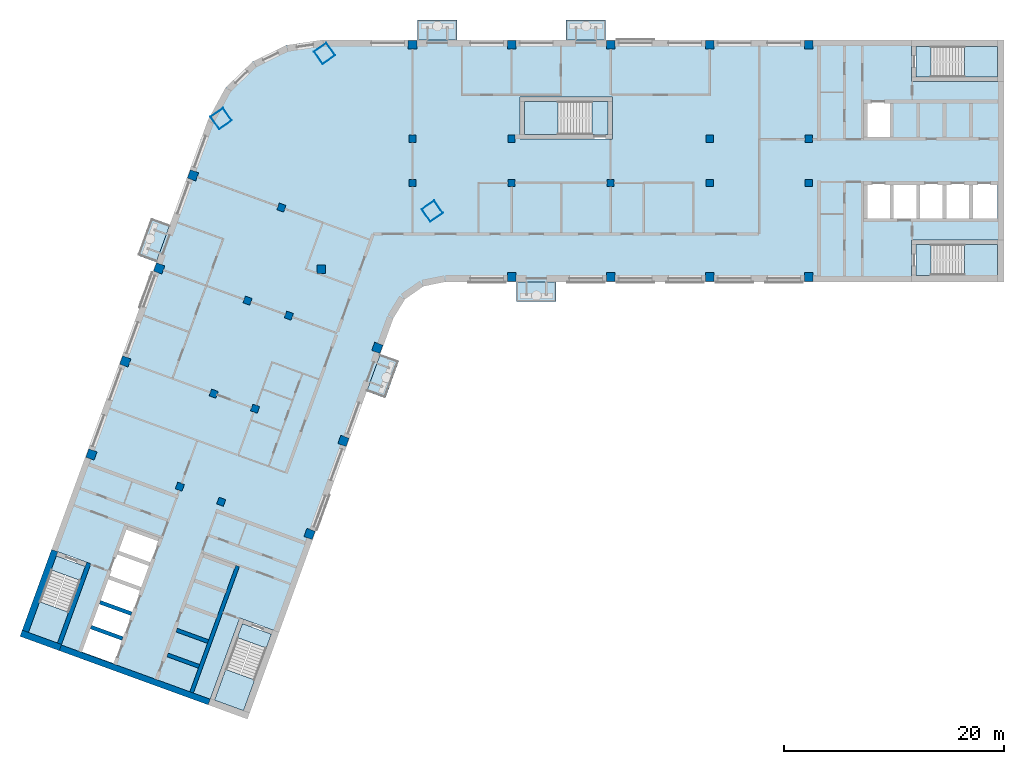
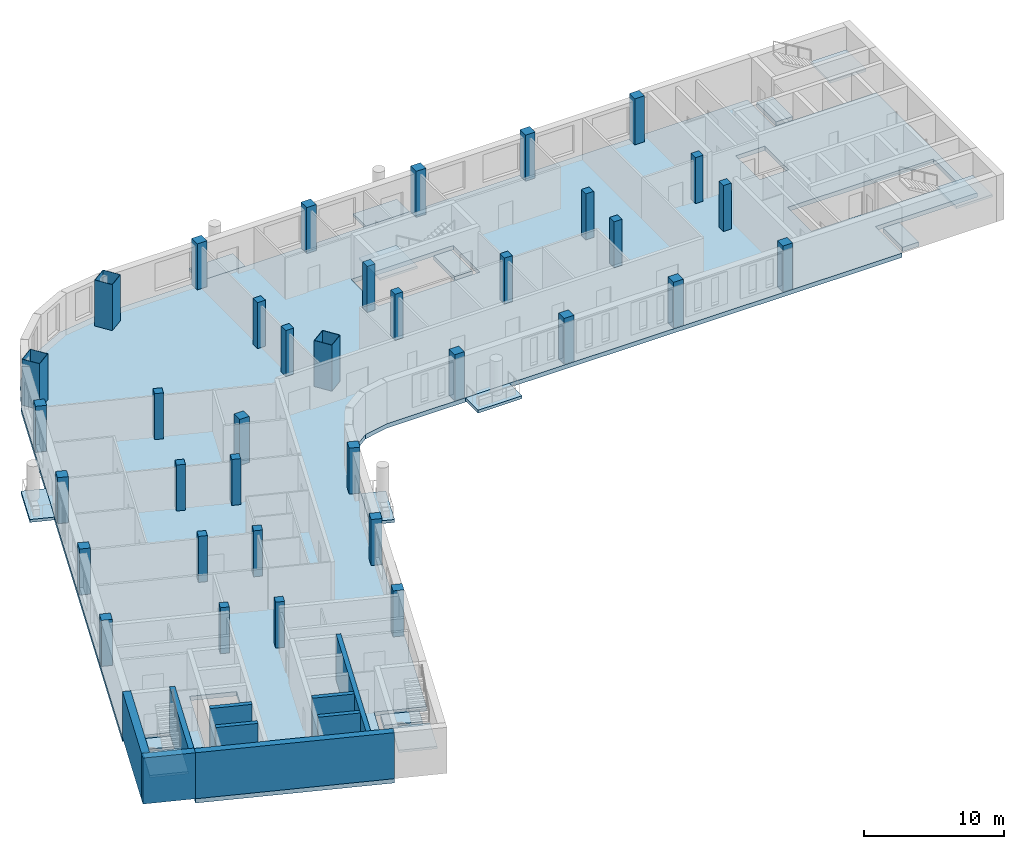
# One storey, part 1 of 10: 36 columns, 16 slabs, 9 walls, 5 elements without a shape of their own.
"""IFC4 building model written with IfcOpenShell, lengths in metres."""

from ifc_helpers import new_model, si_unit, direction, frame, frame_2d, origin, origin_2d, place, context, subcontext, project, spatial, polyline, rectangle, hollow_rectangle, outline, extrude, material, layer, layer_set, material_profile, profile_set, type_object, element, aggregate, save


model = new_model("IFC4")

# Units and contexts
model_context = context("Model", 3, precision=1e-05, world=origin(), true_north=direction((0.0, 1.0)))
body_context = subcontext(model_context, "Body", "Model", "MODEL_VIEW")
ifc_project = project(units=[si_unit("LENGTHUNIT", "METRE"), si_unit("AREAUNIT", "SQUARE_METRE"), si_unit("VOLUMEUNIT", "CUBIC_METRE"), si_unit("PLANEANGLEUNIT", "RADIAN"), si_unit("MASSUNIT", "GRAM", prefix="KILO")], contexts=[model_context])

# Site, building, storey
site_placement = place(None, origin())
site = spatial("IfcSite", under=ifc_project, at=site_placement, CompositionType="ELEMENT")
building_placement = place(site_placement, origin())
building = spatial("IfcBuilding", under=site, at=building_placement, Name="Skarvind Civic Tower", CompositionType="ELEMENT")
storey_placement = place(building_placement, frame((0.0, 0.0, 154.5)))
storey = spatial("IfcBuildingStorey", under=building, at=storey_placement, Name="L36", CompositionType="ELEMENT", Elevation=154.5)

# Columns
ifc_material_1 = material(Name="Concrete C60", Category="concrete")
ifc_material_profile_1 = material_profile(ifc_material_1, rectangle(XDim=0.64990234375, YDim=0.64990234375, at=origin_2d()), Name="RC-650x650")
ifc_profile_set_1 = profile_set([ifc_material_profile_1], Name="Concrete C60")
column_type_1 = type_object("IfcColumnType", Name="Column RC-650x650 C60", PredefinedType="COLUMN", material=ifc_profile_set_1)
for number, where, z_axis, x_axis, name in (
    (1, (54.25, 130.0, 0.0), (0.0, 0.0, 1.0), (1.0, 0.0, 0.0), "Column wing 1 north inner 02 L36"),
    (2, (63.25, 130.0, 0.0), (0.0, 0.0, 1.0), (1.0, 0.0, 0.0), "Column wing 1 north inner 03 L36"),
    (3, (81.25, 130.0, 0.0), (0.0, 0.0, 1.0), (1.0, 0.0, 0.0), "Column wing 1 north inner 05 L36"),
    (4, (90.25, 130.0, 0.0), (0.0, 0.0, 1.0), (1.0, 0.0, 0.0), "Column wing 1 north inner 06 L36"),
    (5, (54.25, 126.0, 0.0), (0.0, 0.0, 1.0), (1.0, 0.0, 0.0), "Column wing 1 south inner 02 L36"),
    (6, (63.25, 126.0, 0.0), (0.0, 0.0, 1.0), (1.0, 0.0, 0.0), "Column wing 1 south inner 03 L36"),
    (7, (72.25, 126.0, 0.0), (0.0, 0.0, 1.0), (1.0, 0.0, 0.0), "Column wing 1 south inner 04 L36"),
    (8, (81.25, 126.0, 0.0), (0.0, 0.0, 1.0), (1.0, 0.0, 0.0), "Column wing 1 south inner 05 L36"),
    (9, (90.25, 126.0, 0.0), (0.0, 0.0, 1.0), (1.0, 0.0, 0.0), "Column wing 1 south inner 06 L36"),
    (10, (43.005615234375, 113.92529296875, 0.0), (0.0, 0.0, 1.0), (-0.342020143326, -0.939692620786, 0.0), "Column wing 2 left inner 02 L36"),
    (11, (39.927490234375, 105.468017578125, 0.0), (0.0, 0.0, 1.0), (-0.342020143326, -0.939692620786, 0.0), "Column wing 2 left inner 03 L36"),
    (12, (36.84912109375, 97.010986328125, 0.0), (0.0, 0.0, 1.0), (-0.342020143326, -0.939692620786, 0.0), "Column wing 2 left inner 04 L36"),
    (13, (42.324951171875, 123.750732421875, 0.0), (0.0, 0.0, 1.0), (-0.342020143326, -0.939692620786, 0.0), "Column wing 2 right inner 01 L36"),
    (14, (39.246826171875, 115.29345703125, 0.0), (0.0, 0.0, 1.0), (-0.342020143326, -0.939692620786, 0.0), "Column wing 2 right inner 02 L36"),
    (15, (36.168701171875, 106.836181640625, 0.0), (0.0, 0.0, 1.0), (-0.342020143326, -0.939692620786, 0.0), "Column wing 2 right inner 03 L36"),
    (16, (33.090576171875, 98.37890625, 0.0), (0.0, 0.0, 1.0), (-0.342020143326, -0.939692620786, 0.0), "Column wing 2 right inner 04 L36"),
):
    element("IfcColumn", number, at=place(storey_placement, frame(where, z_axis=z_axis, x_axis=x_axis)), inside=storey, type_object=column_type_1, Name=name, PredefinedType="COLUMN", context=body_context, shape_type="SweptSolid", body=[
        extrude(rectangle(XDim=0.64990234375, YDim=0.64990234375, at=origin_2d()), origin(), (0.0, 0.0, 1.0), 4.0),
    ])
ifc_material_profile_2 = material_profile(ifc_material_1, rectangle(XDim=0.800048828125, YDim=0.800048828125, at=origin_2d()), Name="RC-800x800")
ifc_profile_set_2 = profile_set([ifc_material_profile_2], Name="Concrete C60")
column_type_2 = type_object("IfcColumnType", Name="Column RC-800x800 C60", PredefinedType="COLUMN", material=ifc_profile_set_2)
for number, where, z_axis, x_axis, name in (
    (17, (54.25, 138.550048828125, 0.0), (0.0, 0.0, 1.0), (1.0, 0.0, 0.0), "Column wing 1 north perimeter 02 L36"),
    (18, (63.25, 138.550048828125, 0.0), (0.0, 0.0, 1.0), (1.0, 0.0, 0.0), "Column wing 1 north perimeter 03 L36"),
    (19, (72.25, 138.550048828125, 0.0), (0.0, 0.0, 1.0), (1.0, 0.0, 0.0), "Column wing 1 north perimeter 04 L36"),
    (20, (81.25, 138.550048828125, 0.0), (0.0, 0.0, 1.0), (1.0, 0.0, 0.0), "Column wing 1 north perimeter 05 L36"),
    (21, (90.25, 138.550048828125, 0.0), (0.0, 0.0, 1.0), (1.0, 0.0, 0.0), "Column wing 1 north perimeter 06 L36"),
    (22, (45.95166015625, 118.151611328125, 0.0), (0.0, 0.0, 1.0), (1.0, 0.0, 0.0), "Column wing 1 south perimeter 01 L36"),
    (23, (63.25, 117.449951171875, 0.0), (0.0, 0.0, 1.0), (1.0, 0.0, 0.0), "Column wing 1 south perimeter 03 L36"),
    (24, (72.25, 117.449951171875, 0.0), (0.0, 0.0, 1.0), (1.0, 0.0, 0.0), "Column wing 1 south perimeter 04 L36"),
    (25, (81.25, 117.449951171875, 0.0), (0.0, 0.0, 1.0), (1.0, 0.0, 0.0), "Column wing 1 south perimeter 05 L36"),
    (26, (90.25, 117.449951171875, 0.0), (0.0, 0.0, 1.0), (1.0, 0.0, 0.0), "Column wing 1 south perimeter 06 L36"),
    (27, (51.0400390625, 111.0009765625, 0.0), (0.0, 0.0, 1.0), (-0.342020143326, -0.939692620786, 0.0), "Column wing 2 left perimeter 02 L36"),
    (28, (47.961669921875, 102.5439453125, 0.0), (0.0, 0.0, 1.0), (-0.342020143326, -0.939692620786, 0.0), "Column wing 2 left perimeter 03 L36"),
    (29, (44.883544921875, 94.086669921875, 0.0), (0.0, 0.0, 1.0), (-0.342020143326, -0.939692620786, 0.0), "Column wing 2 left perimeter 04 L36"),
    (30, (34.29052734375, 126.6748046875, 0.0), (0.0, 0.0, 1.0), (-0.342020143326, -0.939692620786, 0.0), "Column wing 2 right perimeter 01 L36"),
    (31, (31.21240234375, 118.2177734375, 0.0), (0.0, 0.0, 1.0), (-0.342020143326, -0.939692620786, 0.0), "Column wing 2 right perimeter 02 L36"),
    (32, (28.13427734375, 109.760498046875, 0.0), (0.0, 0.0, 1.0), (-0.342020143326, -0.939692620786, 0.0), "Column wing 2 right perimeter 03 L36"),
    (33, (25.05615234375, 101.30322265625, 0.0), (0.0, 0.0, 1.0), (-0.342020143326, -0.939692620786, 0.0), "Column wing 2 right perimeter 04 L36"),
):
    element("IfcColumn", number, at=place(storey_placement, frame(where, z_axis=z_axis, x_axis=x_axis)), inside=storey, type_object=column_type_2, Name=name, PredefinedType="COLUMN", context=body_context, shape_type="SweptSolid", body=[
        extrude(rectangle(XDim=0.800048828125, YDim=0.800048828125, at=origin_2d()), origin(), (0.0, 0.0, 1.0), 4.0),
    ])
ifc_material_2 = material(Name="Composite concrete-filled steel tube, Steel SM355 with Concrete C80", Category="concrete")
ifc_material_profile_3 = material_profile(ifc_material_2, hollow_rectangle(XDim=1.39990234375, YDim=1.39990234375, WallThickness=0.031982421875, at=origin_2d()), Name="BOX-1400x1400x32")
ifc_profile_set_3 = profile_set([ifc_material_profile_3], Name="Composite concrete-filled steel tube, Steel SM355 with Concrete C80")
column_type_3 = type_object("IfcColumnType", Name="Mega column BOX-1400x1400x32 filled C80", PredefinedType="COLUMN", material=ifc_profile_set_3)
for number, where, z_axis, x_axis, name in (
    (34, (36.845947265625, 131.837646484375, 0.0), (0.0, 0.0, 1.0), (0.573576436351, -0.819152044289, 0.0), "Mega column 1 L36"),
    (35, (46.2470703125, 137.762451171875, 0.0), (0.0, 0.0, 1.0), (0.573576436351, -0.819152044289, 0.0), "Mega column 2 L36"),
    (36, (56.0361328125, 123.43017578125, 0.0), (0.0, 0.0, 1.0), (0.573576436351, -0.819152044289, 0.0), "Mega column 4 L36"),
):
    element("IfcColumn", number, at=place(storey_placement, frame(where, z_axis=z_axis, x_axis=x_axis)), inside=storey, type_object=column_type_3, Name=name, PredefinedType="COLUMN", context=body_context, shape_type="SweptSolid", body=[
        extrude(hollow_rectangle(XDim=1.39990234375, YDim=1.39990234375, WallThickness=0.031982421875, at=origin_2d()), origin(), (0.0, 0.0, 1.0), 4.0),
    ])

# Slabs
ifc_material_3 = material(Name="Concrete C50", Category="concrete")
ifc_layer_1 = layer(ifc_material_3, 0.375)
ifc_layer_set_1 = layer_set([ifc_layer_1], Name="Floor slab 375 C50")
slab_type_1 = type_object("IfcSlabType", Name="Floor slab 375 C50", PredefinedType="FLOOR", material=ifc_layer_set_1)
slab_1_placement = place(storey_placement, frame((0.0, 0.0, -0.375)))
element("IfcSlab", 37, at=slab_1_placement, inside=storey, type_object=slab_type_1, Name="Floor slab L36 1", PredefinedType="FLOOR", context=body_context, shape_type="SweptSolid", body=[
    extrude(outline(polyline([(99.60009765625, 117.0), (99.60009765625, 120.800048828125), (108.0, 120.800048828125), (108.0, 135.199951171875), (99.60009765625, 135.199951171875), (99.60009765625, 139.0), (46.095458984375, 139.0), (42.739501953125, 138.5009765625), (39.6943359375, 137.005615234375), (37.24755859375, 134.6552734375), (35.630615234375, 131.672607421875), (19.41748046875, 87.126708984375), (21.435302734375, 92.6708984375), (25.006103515625, 91.371337890625), (22.13330078125, 83.477783203125), (36.886474609375, 78.108154296875), (35.664794921875, 78.552734375), (38.53759765625, 86.4462890625), (42.108642578125, 85.146484375), (40.0908203125, 79.602294921875), (40.0908203125, 79.602294921875), (52.493896484375, 113.68017578125), (53.560791015625, 115.421630859375), (55.23388671875, 116.593017578125), (57.235107421875, 117.0), (99.60009765625, 117.0)]), holes=[polyline([(25.671630859375, 87.9365234375), (26.492431640625, 90.19189453125), (27.313232421875, 92.447021484375), (28.134033203125, 94.702392578125), (31.3291015625, 93.53955078125), (30.50830078125, 91.2841796875), (29.6875, 89.029052734375), (28.866455078125, 86.773681640625), (28.866455078125, 86.773681640625), (28.045654296875, 84.5185546875), (27.224853515625, 82.26318359375), (24.02978515625, 83.426025390625), (24.8505859375, 85.681396484375), (25.671630859375, 87.9365234375), (25.671630859375, 87.9365234375)]), polyline([(64.0, 130.0), (64.0, 133.800048828125), (72.39990234375, 133.800048828125), (72.39990234375, 130.0), (64.0, 130.0)]), polyline([(97.800048828125, 126.0), (100.199951171875, 126.0), (102.60009765625, 126.0), (105.0, 126.0), (107.39990234375, 126.0), (107.39990234375, 122.60009765625), (105.0, 122.60009765625), (102.60009765625, 122.60009765625), (100.199951171875, 122.60009765625), (97.800048828125, 122.60009765625), (95.39990234375, 122.60009765625), (95.39990234375, 126.0), (97.800048828125, 126.0)]), polyline([(97.800048828125, 133.39990234375), (97.800048828125, 130.0), (95.39990234375, 130.0), (95.39990234375, 133.39990234375), (97.800048828125, 133.39990234375)])]), origin(), (0.0, 0.0, 1.0), 0.375),
])
ifc_material_4 = material(Name="Precast concrete C40/50", Category="concrete")
ifc_layer_2 = layer(ifc_material_4, 0.25)
ifc_layer_set_2 = layer_set([ifc_layer_2], Name="SX3 BALCONY SLAB 250")
slab_type_2 = type_object("IfcSlabType", Name="SX3 BALCONY SLAB 250", PredefinedType="FLOOR", material=ifc_layer_set_2)
slab_2_placement = place(storey_placement, frame((0.0, 0.0, -0.25)))
element("IfcSlab", 38, at=slab_2_placement, inside=storey, type_object=slab_type_2, Name="TREE BALCONY SLAB", PredefinedType="FLOOR", context=body_context, shape_type="SweptSolid", body=[
    extrude(outline(polyline([(51.308837890625, 110.42431640625), (50.07763671875, 107.04150390625), (51.76904296875, 106.42578125), (53.00048828125, 109.80859375), (51.308837890625, 110.42431640625)])), origin(), (0.0, 0.0, 1.0), 0.25),
])
slab_3_placement = place(storey_placement, frame((0.0, 0.0, -0.25)))
element("IfcSlab", 39, at=slab_3_placement, inside=storey, type_object=slab_type_2, Name="TREE BALCONY SLAB", PredefinedType="FLOOR", context=body_context, shape_type="SweptSolid", body=[
    extrude(outline(polyline([(67.300048828125, 117.0), (63.699951171875, 117.0), (63.699951171875, 115.199951171875), (67.300048828125, 115.199951171875), (67.300048828125, 117.0)])), origin(), (0.0, 0.0, 1.0), 0.25),
])
slab_4_placement = place(storey_placement, frame((0.0, 0.0, -0.25)))
element("IfcSlab", 40, at=slab_4_placement, inside=storey, type_object=slab_type_2, Name="TREE BALCONY SLAB", PredefinedType="FLOOR", context=body_context, shape_type="SweptSolid", body=[
    extrude(outline(polyline([(54.699951171875, 139.0), (58.300048828125, 139.0), (58.300048828125, 140.800048828125), (54.699951171875, 140.800048828125), (54.699951171875, 139.0)])), origin(), (0.0, 0.0, 1.0), 0.25),
])
slab_5_placement = place(storey_placement, frame((0.0, 0.0, -0.25)))
element("IfcSlab", 41, at=slab_5_placement, inside=storey, type_object=slab_type_2, Name="TREE BALCONY SLAB", PredefinedType="FLOOR", context=body_context, shape_type="SweptSolid", body=[
    extrude(outline(polyline([(68.199951171875, 139.0), (71.800048828125, 139.0), (71.800048828125, 140.800048828125), (68.199951171875, 140.800048828125), (68.199951171875, 139.0)])), origin(), (0.0, 0.0, 1.0), 0.25),
])
slab_6_placement = place(storey_placement, frame((0.0, 0.0, -0.25)))
element("IfcSlab", 42, at=slab_6_placement, inside=storey, type_object=slab_type_2, Name="TREE BALCONY SLAB", PredefinedType="FLOOR", context=body_context, shape_type="SweptSolid", body=[
    extrude(outline(polyline([(30.943603515625, 118.79443359375), (32.1748046875, 122.177490234375), (30.4833984375, 122.79296875), (29.252197265625, 119.41015625), (30.943603515625, 118.79443359375)])), origin(), (0.0, 0.0, 1.0), 0.25),
])
ifc_material_5 = material(Name="Concrete C40/50", Category="concrete")
ifc_layer_3 = layer(ifc_material_5, 0.375)
ifc_layer_set_3 = layer_set([ifc_layer_3], Name="Stair floor landing slab 375")
slab_type_3 = type_object("IfcSlabType", Name="Stair floor landing slab 375", PredefinedType="LANDING", material=ifc_layer_set_3)
slab_7_placement = place(storey_placement, frame((0.0, 0.0, -0.375)))
element("IfcSlab", 43, at=slab_7_placement, inside=storey, type_object=slab_type_3, Name="Stair floor landing", PredefinedType="LANDING", context=body_context, shape_type="SweptSolid", body=[
    extrude(outline(polyline([(101.3505859375, 138.400634765625), (101.3505859375, 135.599365234375), (99.99951171875, 135.599365234375), (99.99951171875, 138.400634765625), (101.3505859375, 138.400634765625)])), origin(), (0.0, 0.0, 1.0), 0.375),
])
slab_8_placement = place(storey_placement, frame((0.0, 0.0, -0.375)))
element("IfcSlab", 44, at=slab_8_placement, inside=storey, type_object=slab_type_3, Name="Stair floor landing", PredefinedType="LANDING", context=body_context, shape_type="SweptSolid", body=[
    extrude(outline(polyline([(101.3505859375, 120.400634765625), (101.3505859375, 117.599365234375), (99.99951171875, 117.599365234375), (99.99951171875, 120.400634765625), (101.3505859375, 120.400634765625)])), origin(), (0.0, 0.0, 1.0), 0.375),
])
slab_9_placement = place(storey_placement, frame((0.0, 0.0, -0.375)))
element("IfcSlab", 45, at=slab_9_placement, inside=storey, type_object=slab_type_3, Name="Stair floor landing", PredefinedType="LANDING", context=body_context, shape_type="SweptSolid", body=[
    extrude(outline(polyline([(40.946533203125, 83.70654296875), (38.314208984375, 84.66455078125), (38.7763671875, 85.934326171875), (41.40869140625, 84.976318359375), (40.946533203125, 83.70654296875)])), origin(), (0.0, 0.0, 1.0), 0.375),
])
slab_10_placement = place(storey_placement, frame((0.0, 0.0, -0.375)))
element("IfcSlab", 46, at=slab_10_placement, inside=storey, type_object=slab_type_3, Name="Stair floor landing", PredefinedType="LANDING", context=body_context, shape_type="SweptSolid", body=[
    extrude(outline(polyline([(24.0322265625, 89.863037109375), (21.39990234375, 90.821044921875), (21.862060546875, 92.090576171875), (24.494384765625, 91.132568359375), (24.0322265625, 89.863037109375)])), origin(), (0.0, 0.0, 1.0), 0.375),
])
slab_11_placement = place(storey_placement, frame((0.0, 0.0, -0.375)))
element("IfcSlab", 47, at=slab_11_placement, inside=storey, type_object=slab_type_3, Name="Stair floor landing", PredefinedType="LANDING", context=body_context, shape_type="SweptSolid", body=[
    extrude(outline(polyline([(70.54931640625, 130.3994140625), (70.54931640625, 133.400634765625), (72.00048828125, 133.400634765625), (72.00048828125, 130.3994140625), (70.54931640625, 130.3994140625)])), origin(), (0.0, 0.0, 1.0), 0.375),
])

# Stair, slab
stair_type_1 = type_object("IfcStairType", Name="Exit stair, half-turn, concrete", PredefinedType="HALF_TURN_STAIR", material=ifc_material_5)
stair_1_placement = place(storey_placement, origin())
stair_1 = element("IfcStair", 48, at=stair_1_placement, inside=storey, type_object=stair_type_1, Name="Exit stair C1S", PredefinedType="HALF_TURN_STAIR")
ifc_layer_4 = layer(ifc_material_5, 0.199951171875)
ifc_layer_set_4 = layer_set([ifc_layer_4], Name="Stair half landing slab")
slab_type_4 = type_object("IfcSlabType", Name="Stair half landing slab", PredefinedType="LANDING", material=ifc_layer_set_4)
slab_12_placement = place(storey_placement, frame((0.0, 0.0, 1.800048828125)))
slab_12 = element("IfcSlab", 49, at=slab_12_placement, type_object=slab_type_4, Name="ST-C1S landing 1", PredefinedType="LANDING", context=body_context, shape_type="SweptSolid", body=[
    extrude(outline(polyline([(104.429443359375, 135.599365234375), (104.429443359375, 138.400634765625), (107.400634765625, 138.400634765625), (107.400634765625, 135.599365234375), (104.429443359375, 135.599365234375)])), origin(), (0.0, 0.0, 1.0), 0.199951171875),
])
aggregate(stair_1, [slab_12])

stair_2_placement = place(storey_placement, origin())
stair_2 = element("IfcStair", 50, at=stair_2_placement, inside=storey, type_object=stair_type_1, Name="Exit stair C1N", PredefinedType="HALF_TURN_STAIR")
slab_13_placement = place(storey_placement, frame((0.0, 0.0, 1.800048828125)))
slab_13 = element("IfcSlab", 51, at=slab_13_placement, type_object=slab_type_4, Name="ST-C1N landing 1", PredefinedType="LANDING", context=body_context, shape_type="SweptSolid", body=[
    extrude(outline(polyline([(104.429443359375, 117.599365234375), (104.429443359375, 120.400634765625), (107.400634765625, 120.400634765625), (107.400634765625, 117.599365234375), (104.429443359375, 117.599365234375)])), origin(), (0.0, 0.0, 1.0), 0.199951171875),
])
aggregate(stair_2, [slab_13])

stair_3_placement = place(storey_placement, origin())
stair_3 = element("IfcStair", 52, at=stair_3_placement, inside=storey, type_object=stair_type_1, Name="Exit stair C2S", PredefinedType="HALF_TURN_STAIR")
slab_14_placement = place(storey_placement, frame((0.0, 0.0, 1.800048828125)))
slab_14 = element("IfcSlab", 53, at=slab_14_placement, type_object=slab_type_4, Name="ST-C2S landing 1", PredefinedType="LANDING", context=body_context, shape_type="SweptSolid", body=[
    extrude(outline(polyline([(37.26123046875, 81.771484375), (39.8935546875, 80.8134765625), (38.87744140625, 78.021484375), (36.2451171875, 78.9794921875), (37.26123046875, 81.771484375)])), origin(), (0.0, 0.0, 1.0), 0.199951171875),
])
aggregate(stair_3, [slab_14])

stair_4_placement = place(storey_placement, origin())
stair_4 = element("IfcStair", 54, at=stair_4_placement, inside=storey, type_object=stair_type_1, Name="Exit stair C2N", PredefinedType="HALF_TURN_STAIR")
slab_15_placement = place(storey_placement, frame((0.0, 0.0, 1.800048828125)))
slab_15 = element("IfcSlab", 55, at=slab_15_placement, type_object=slab_type_4, Name="ST-C2N landing 1", PredefinedType="LANDING", context=body_context, shape_type="SweptSolid", body=[
    extrude(outline(polyline([(20.346923828125, 87.927734375), (22.97900390625, 86.9697265625), (21.962890625, 84.177734375), (19.33056640625, 85.1357421875), (20.346923828125, 87.927734375)])), origin(), (0.0, 0.0, 1.0), 0.199951171875),
])
aggregate(stair_4, [slab_15])

stair_type_2 = type_object("IfcStairType", Name="Exit stair 1450, half-turn, concrete", PredefinedType="HALF_TURN_STAIR", material=ifc_material_5)
stair_5_placement = place(storey_placement, origin())
stair_5 = element("IfcStair", 56, at=stair_5_placement, inside=storey, type_object=stair_type_2, Name="Exit stair CM", PredefinedType="HALF_TURN_STAIR")
slab_16_placement = place(storey_placement, frame((0.0, 0.0, 1.800048828125)))
slab_16 = element("IfcSlab", 57, at=slab_16_placement, type_object=slab_type_4, Name="ST-CM landing 1", PredefinedType="LANDING", context=body_context, shape_type="SweptSolid", body=[
    extrude(outline(polyline([(67.470703125, 133.400634765625), (67.470703125, 130.3994140625), (64.3994140625, 130.3994140625), (64.3994140625, 133.400634765625), (67.470703125, 133.400634765625)])), origin(), (0.0, 0.0, 1.0), 0.199951171875),
])
aggregate(stair_5, [slab_16])

# Walls
ifc_layer_5 = layer(ifc_material_1, 0.35009765625)
ifc_layer_set_5 = layer_set([ifc_layer_5], Name="Core wall 350 C60")
wall_type_1 = type_object("IfcWallType", Name="Core wall 350 C60", PredefinedType="SHEAR", material=ifc_layer_set_5)
wall_1_placement = place(storey_placement, frame((34.161376953125, 79.685302734375, 0.0), z_axis=(0.0, 0.0, 1.0), x_axis=(0.34201563943, 0.939694260058, 0.0)))
element("IfcWall", 58, at=wall_1_placement, inside=storey, type_object=wall_type_1, Name="Core wall C2 south lift row back L36", PredefinedType="SHEAR", context=body_context, shape_type="SweptSolid", body=[
    extrude(rectangle(XDim=12.22509765625, YDim=0.35009765625, at=frame_2d((6.112548828125, 0.0))), origin(), (0.0, 0.0, 1.0), 4.0),
])
wall_2_placement = place(storey_placement, frame((34.8349609375, 82.04736328125, 0.0), z_axis=(0.0, 0.0, 1.0), x_axis=(-0.939683528043, 0.3420451244, 0.0)))
element("IfcWall", 59, at=wall_2_placement, inside=storey, type_object=wall_type_1, Name="Core wall C2 south lift row division 1 L36", PredefinedType="SHEAR", context=body_context, shape_type="SweptSolid", body=[
    extrude(rectangle(XDim=3.050048828125, YDim=0.35009765625, at=frame_2d((1.52490234375, 0.0))), origin(), (0.0, 0.0, 1.0), 4.0),
])
wall_3_placement = place(storey_placement, frame((35.65576171875, 84.302734375, 0.0), z_axis=(0.0, 0.0, 1.0), x_axis=(-0.939709254651, 0.341974438698, 0.0)))
element("IfcWall", 60, at=wall_3_placement, inside=storey, type_object=wall_type_1, Name="Core wall C2 south lift row division 2 L36", PredefinedType="SHEAR", context=body_context, shape_type="SweptSolid", body=[
    extrude(rectangle(XDim=3.0498046875, YDim=0.35009765625, at=frame_2d((1.52490234375, 0.0))), origin(), (0.0, 0.0, 1.0), 4.0),
])
for number, where, z_axis, x_axis, name in (
    (61, (27.881103515625, 84.578369140625, 0.0), (0.0, 0.0, 1.0), (-0.939683528043, 0.3420451244, 0.0), "Core wall C2 north lift row division 1 L36"),
    (62, (28.7021484375, 86.83349609375, 0.0), (0.0, 0.0, 1.0), (-0.939692892192, 0.342019397644, 0.0), "Core wall C2 north lift row division 2 L36"),
):
    element("IfcWall", number, at=place(storey_placement, frame(where, z_axis=z_axis, x_axis=x_axis)), inside=storey, type_object=wall_type_1, Name=name, PredefinedType="SHEAR", context=body_context, shape_type="SweptSolid", body=[
        extrude(rectangle(XDim=3.050048828125, YDim=0.35009765625, at=frame_2d((1.52490234375, 0.0))), origin(), (0.0, 0.0, 1.0), 4.0),
    ])
ifc_layer_6 = layer(ifc_material_1, 0.39990234375)
ifc_layer_set_6 = layer_set([ifc_layer_6], Name="Core wall 400 C60")
wall_type_2 = type_object("IfcWallType", Name="Core wall 400 C60", PredefinedType="SHEAR", material=ifc_layer_set_6)
wall_4_placement = place(storey_placement, frame((22.150390625, 84.110107421875, 0.0), z_axis=(0.0, 0.0, 1.0), x_axis=(0.342016982193, 0.939693771338, 0.0)))
element("IfcWall", 63, at=wall_4_placement, inside=storey, type_object=wall_type_2, Name="Core wall C2 north stair inner L36", PredefinedType="SHEAR", context=body_context, shape_type="SweptSolid", body=[
    extrude(rectangle(XDim=7.800048828125, YDim=0.39990234375, at=frame_2d((3.89990234375, 0.0))), origin(), (0.0, 0.0, 1.0), 4.0),
])
ifc_layer_7 = layer(ifc_material_1, 0.550048828125)
ifc_layer_set_7 = layer_set([ifc_layer_7], Name="Core wall 550 C60")
wall_type_3 = type_object("IfcWallType", Name="Core wall 550 C60", PredefinedType="SHEAR", material=ifc_layer_set_7)
wall_5_placement = place(storey_placement, frame((35.7587890625, 78.811279296875, 0.0), z_axis=(0.0, 0.0, 1.0), x_axis=(-0.939692894512, 0.342019391267, 0.0)))
element("IfcWall", 64, at=wall_5_placement, inside=storey, type_object=wall_type_3, Name="Core wall C2 tip between the stairs L36", PredefinedType="SHEAR", context=body_context, shape_type="SweptSolid", body=[
    extrude(rectangle(XDim=14.39990234375, YDim=0.550048828125, at=frame_2d((7.199951171875, 0.0))), origin(), (0.0, 0.0, 1.0), 4.0),
])
ifc_layer_8 = layer(ifc_material_1, 0.60009765625)
ifc_layer_set_8 = layer_set([ifc_layer_8], Name="Core wall 600 C60")
wall_type_4 = type_object("IfcWallType", Name="Core wall 600 C60", PredefinedType="SHEAR", material=ifc_layer_set_8)
wall_6_placement = place(storey_placement, frame((22.23583984375, 83.759765625, 0.0), z_axis=(0.0, 0.0, 1.0), x_axis=(-0.939680822529, 0.342052557032, 0.0)))
element("IfcWall", 65, at=wall_6_placement, inside=storey, type_object=wall_type_4, Name="Core wall C2 tip at the north stair L36", PredefinedType="SHEAR", context=body_context, shape_type="SweptSolid", body=[
    extrude(rectangle(XDim=3.800048828125, YDim=0.60009765625, at=frame_2d((1.89990234375, 0.0))), origin(), (0.0, 0.0, 1.0), 4.0),
])
wall_7_placement = place(storey_placement, frame((19.049560546875, 85.23876953125, 0.0), z_axis=(0.0, 0.0, 1.0), x_axis=(0.342016982193, 0.939693771338, 0.0)))
element("IfcWall", 66, at=wall_7_placement, inside=storey, type_object=wall_type_4, Name="Core wall C2 north side at the stair L36", PredefinedType="SHEAR", context=body_context, shape_type="SweptSolid", body=[
    extrude(rectangle(XDim=7.800048828125, YDim=0.60009765625, at=frame_2d((3.89990234375, 0.0))), origin(), (0.0, 0.0, 1.0), 4.0),
])

save(model, "model.ifc")
